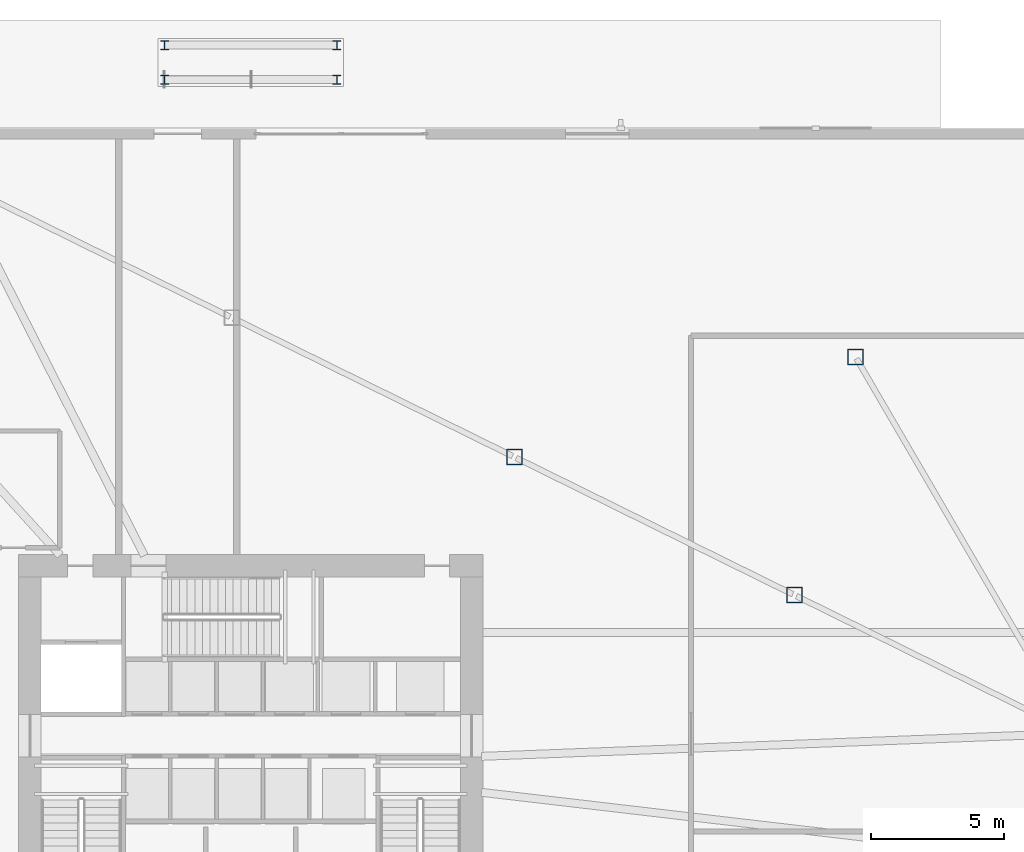
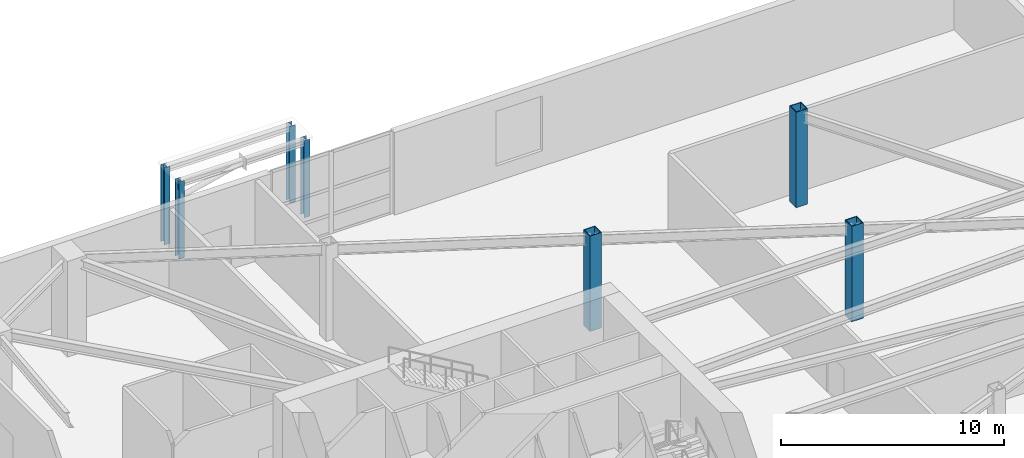
# One storey, part 4 of 22: 7 columns.
"""IFC4 building model written with IfcOpenShell, lengths in metres."""

from ifc_helpers import new_model, si_unit, direction, frame, origin, origin_2d, place, context, subcontext, project, spatial, hollow_rectangle, i_section, extrude, source, transform, mapped, material, material_profile, profile_set, type_object, element, save


model = new_model("IFC4")

# Units and contexts
model_context = context("Model", 3, precision=1e-05, world=origin(), true_north=direction((0.0, 1.0)))
body_context = subcontext(model_context, "Body", "Model", "MODEL_VIEW")
ifc_project = project(units=[si_unit("LENGTHUNIT", "METRE"), si_unit("AREAUNIT", "SQUARE_METRE"), si_unit("VOLUMEUNIT", "CUBIC_METRE"), si_unit("PLANEANGLEUNIT", "RADIAN"), si_unit("MASSUNIT", "GRAM", prefix="KILO")], contexts=[model_context])

# Site, building, storey
site_placement = place(None, origin())
site = spatial("IfcSite", under=ifc_project, at=site_placement, CompositionType="ELEMENT")
building_placement = place(site_placement, origin())
building = spatial("IfcBuilding", under=site, at=building_placement, Name="Olszyna Solenne Hotel", CompositionType="ELEMENT")
storey_placement = place(building_placement, origin())
storey = spatial("IfcBuildingStorey", under=building, at=storey_placement, Name="L00", CompositionType="ELEMENT", Elevation=0.0)

# Columns
ifc_material_1 = material(Name="Steel S460M", Category="steel")
ifc_material_profile_1 = material_profile(ifc_material_1, hollow_rectangle(XDim=0.60009765625, YDim=0.60009765625, WallThickness=0.034912109375, at=origin_2d()), Name="SHS 600x600x35", Category="load-bearing")
ifc_profile_set_1 = profile_set([ifc_material_profile_1], Name="Steel S460M")
column_type_1 = type_object("IfcColumnType", Name="COL-P2", PredefinedType="COLUMN", material=ifc_profile_set_1)
shared_shape_1 = source(origin(), body_context, "Body", "SweptSolid", [
    extrude(hollow_rectangle(XDim=0.60009765625, YDim=0.60009765625, WallThickness=0.034912109375, at=origin_2d()), origin(), (0.0, 0.0, 1.0), 5.235107421875),
])
for number, where, z_axis, x_axis, name in (
    (1, (60.800048828125, 42.0, 0.0), (0.0, 0.0, 1.0), (1.0, 0.0, 0.0), "Podium mega-column COL-P2 C-L00-P2-04"),
    (2, (58.506591796875, 33.0126953125, 0.0), (0.0, 0.0, 1.0), (1.0, 0.0, 0.0), "Podium transfer-support column COL-P2 C-L00-TG-01"),
    (3, (47.94091796875, 38.222412109375, 0.0), (0.0, 0.0, 1.0), (1.0, 0.0, 0.0), "Podium transfer-support column COL-P2 C-L00-TG-02"),
):
    element("IfcColumn", number, at=place(storey_placement, frame(where, z_axis=z_axis, x_axis=x_axis)), inside=storey, type_object=column_type_1, Name=name, PredefinedType="COLUMN", context=body_context, shape_type="MappedRepresentation", body=[
        mapped(shared_shape_1, transform((0.0, 0.0, 0.0), x_axis=(1.0, 0.0, 0.0), y_axis=(0.0, 1.0, 0.0), z_axis=(0.0, 0.0, 1.0), scale=1.0)),
    ])
ifc_material_2 = material(Name="Steel S355J2", Category="steel")
ifc_material_profile_2 = material_profile(ifc_material_2, i_section(OverallWidth=0.300048828125, OverallDepth=0.340087890625, WebThickness=0.011962890625, FlangeThickness=0.021484375, at=origin_2d()), Name="HEB 340", Category="load-bearing")
ifc_profile_set_2 = profile_set([ifc_material_profile_2], Name="Steel S355J2")
column_type_2 = type_object("IfcColumnType", Name="COL-S1", PredefinedType="COLUMN", material=ifc_profile_set_2)
shared_shape_2 = source(origin(), body_context, "Body", "SweptSolid", [
    extrude(i_section(OverallWidth=0.300048828125, OverallDepth=0.340087890625, WebThickness=0.011962890625, FlangeThickness=0.021484375, at=origin_2d()), origin(), (0.0, 0.0, 1.0), 4.219970703125),
])
for number, where, z_axis, x_axis, name in (
    (4, (34.75, 52.449951171875, -0.179931640625), (0.0, 0.0, 1.0), (1.0, 0.0, 0.0), "Forecourt canopy column COL-S1 C-L00-CN-N1-1"),
    (5, (41.25, 52.449951171875, -0.179931640625), (0.0, 0.0, 1.0), (1.0, 0.0, 0.0), "Forecourt canopy column COL-S1 C-L00-CN-N1-2"),
    (6, (41.25, 53.75, -0.179931640625), (0.0, 0.0, 1.0), (1.0, 0.0, 0.0), "Forecourt canopy column COL-S1 C-L00-CN-N1-3"),
    (7, (34.75, 53.75, -0.179931640625), (0.0, 0.0, 1.0), (1.0, 0.0, 0.0), "Forecourt canopy column COL-S1 C-L00-CN-N1-4"),
):
    element("IfcColumn", number, at=place(storey_placement, frame(where, z_axis=z_axis, x_axis=x_axis)), inside=storey, type_object=column_type_2, Name=name, PredefinedType="COLUMN", context=body_context, shape_type="MappedRepresentation", body=[
        mapped(shared_shape_2, transform((0.0, 0.0, 0.0), x_axis=(1.0, 0.0, 0.0), y_axis=(0.0, 1.0, 0.0), z_axis=(0.0, 0.0, 1.0), scale=1.0)),
    ])

save(model, "model.ifc")
